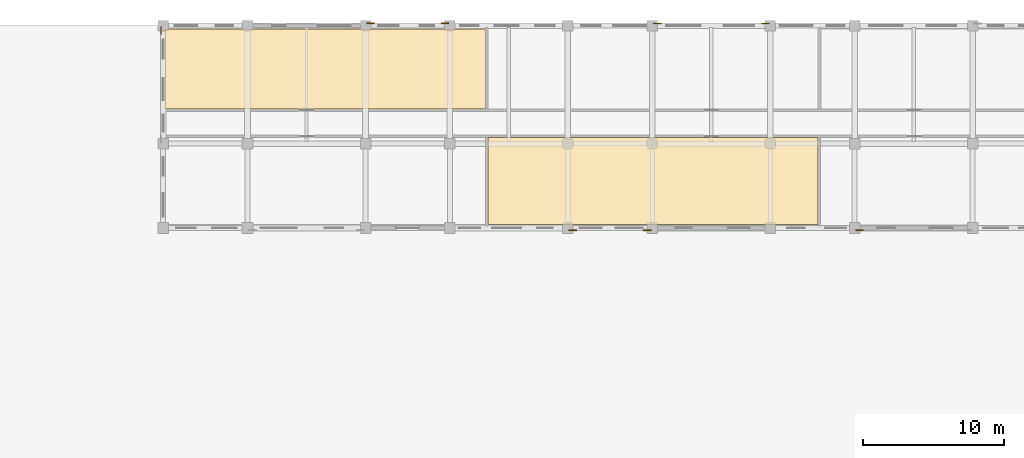
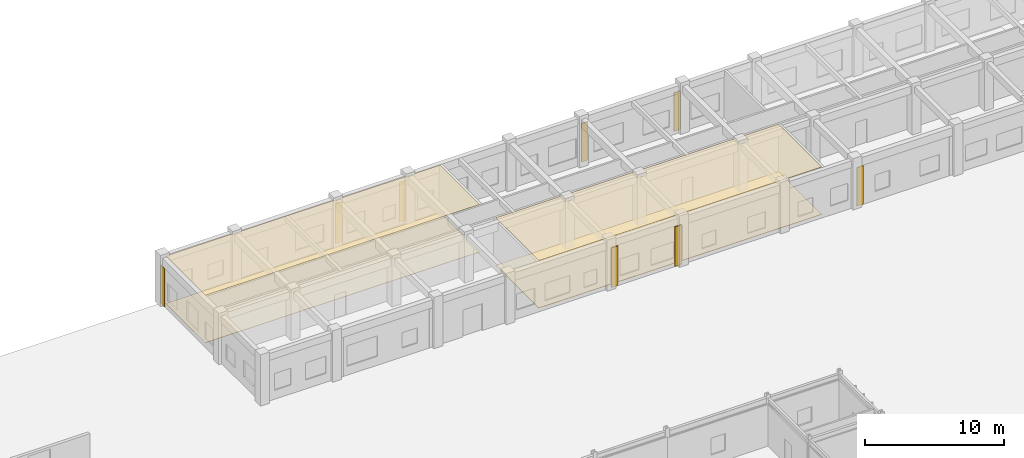
# One storey, part 62 of 67: 12 coverings.
"""IFC4 building model written with IfcOpenShell, lengths in metres."""

from ifc_helpers import new_model, si_unit, direction, frame, origin, origin_2d, place, context, subcontext, project, spatial, polyline, rectangle, outline, extrude, material, layer, layer_set, type_object, element, save


model = new_model("IFC4")

# Units and contexts
model_context = context("Model", 3, precision=1e-05, world=origin(), true_north=direction((0.0, 1.0)))
body_context = subcontext(model_context, "Body", "Model", "MODEL_VIEW")
ifc_project = project(units=[si_unit("LENGTHUNIT", "METRE"), si_unit("AREAUNIT", "SQUARE_METRE"), si_unit("VOLUMEUNIT", "CUBIC_METRE"), si_unit("PLANEANGLEUNIT", "RADIAN"), si_unit("MASSUNIT", "GRAM", prefix="KILO"), si_unit("THERMODYNAMICTEMPERATUREUNIT", "KELVIN")], contexts=[model_context])

# Site, building, storey
site_placement = place(None, origin())
site = spatial("IfcSite", under=ifc_project, at=site_placement, CompositionType="ELEMENT")
building_placement = place(site_placement, origin())
building = spatial("IfcBuilding", under=site, at=building_placement, Name="Thalorik Housing Commons", CompositionType="ELEMENT")
storey_placement = place(building_placement, origin())
storey = spatial("IfcBuildingStorey", under=building, at=storey_placement, Name="L00", CompositionType="ELEMENT", Elevation=0.0)

# Coverings
ifc_material_1 = material(Name="Cobalt blue glazed ceramic facade tile panel", Category="masonry")
ifc_layer_1 = layer(ifc_material_1, 0.06005859375, Name="Cobalt blue glazed ceramic facade tile panel", Category="masonry")
ifc_layer_set_1 = layer_set([ifc_layer_1], Name="Cobalt blue glazed ceramic facade tile panel")
covering_type_1 = type_object("IfcCoveringType", Name="ARC-CLD-BLU-60", PredefinedType="CLADDING", material=ifc_layer_set_1)
for number, where, z_axis, x_axis, name in (
    (1, (123.25, 123.74951171875, 0.0498046875), (0.0, 0.0, 1.0), (-1.0, 0.0, 0.0), "L00 Architectural Facade Cladding 1479"),
    (2, (115.550048828125, 123.74951171875, 0.0498046875), (0.0, 0.0, 1.0), (-1.0, 0.0, 0.0), "L00 Architectural Facade Cladding 1480"),
    (3, (129.949951171875, 109.050537109375, 0.0498046875), (0.0, 0.0, 1.0), (1.0, 0.0, 0.0), "L00 Architectural Facade Cladding 1489"),
):
    element("IfcCovering", number, at=place(storey_placement, frame(where, z_axis=z_axis, x_axis=x_axis)), inside=storey, type_object=covering_type_1, Name=name, PredefinedType="CLADDING", context=body_context, shape_type="SweptSolid", body=[
        extrude(rectangle(XDim=0.550048828125, YDim=0.06005859375, at=origin_2d()), origin(), (0.0, 0.0, 1.0), 3.385009765625),
    ])
ifc_material_2 = material(Name="Precast concrete C40/50", Category="concrete")
ifc_layer_2 = layer(ifc_material_2, 0.074951171875, Name="Precast concrete C40/50", Category="concrete")
ifc_layer_set_2 = layer_set([ifc_layer_2], Name="Precast concrete C40/50")
covering_type_2 = type_object("IfcCoveringType", Name="ARC-CLD-PIER-75", PredefinedType="CLADDING", material=ifc_layer_set_2)
for number, where, z_axis, x_axis, name in (
    (4, (109.550048828125, 109.04296875, 0.0498046875), (0.0, 0.0, 1.0), (1.0, 0.0, 0.0), "L00 Architectural Facade Cladding 1487"),
    (5, (114.85009765625, 109.04296875, 0.0498046875), (0.0, 0.0, 1.0), (1.0, 0.0, 0.0), "L00 Architectural Facade Cladding 1488"),
):
    element("IfcCovering", number, at=place(storey_placement, frame(where, z_axis=z_axis, x_axis=x_axis)), inside=storey, type_object=covering_type_2, Name=name, PredefinedType="CLADDING", context=body_context, shape_type="SweptSolid", body=[
        extrude(rectangle(XDim=0.550048828125, YDim=0.074951171875, at=origin_2d()), origin(), (0.0, 0.0, 1.0), 3.485107421875),
    ])
ifc_layer_3 = layer(ifc_material_2, 0.090087890625, Name="Precast concrete C40/50", Category="concrete")
ifc_layer_set_3 = layer_set([ifc_layer_3], Name="Precast concrete C40/50")
covering_type_3 = type_object("IfcCoveringType", Name="ARC-CLD-PIER-90", PredefinedType="CLADDING", material=ifc_layer_set_3)
for number, where, z_axis, x_axis, name in (
    (6, (100.449951171875, 123.764404296875, 0.0498046875), (0.0, 0.0, 1.0), (-1.0, 0.0, 0.0), "L00 Architectural Facade Cladding 1481"),
    (7, (95.14990234375, 123.764404296875, 0.0498046875), (0.0, 0.0, 1.0), (-1.0, 0.0, 0.0), "L00 Architectural Facade Cladding 1482"),
):
    element("IfcCovering", number, at=place(storey_placement, frame(where, z_axis=z_axis, x_axis=x_axis)), inside=storey, type_object=covering_type_3, Name=name, PredefinedType="CLADDING", context=body_context, shape_type="SweptSolid", body=[
        extrude(rectangle(XDim=0.550048828125, YDim=0.090087890625, at=origin_2d()), origin(), (0.0, 0.0, 1.0), 3.485107421875),
    ])
ifc_material_3 = material(Name="Mineral ochre architectural terracotta panel", Category="masonry")
ifc_layer_4 = layer(ifc_material_3, 0.06494140625, Name="Mineral ochre architectural terracotta panel", Category="masonry")
ifc_layer_set_4 = layer_set([ifc_layer_4], Name="Mineral ochre architectural terracotta panel")
covering_type_4 = type_object("IfcCoveringType", Name="ARC-CLD-YEL-65", PredefinedType="CLADDING", material=ifc_layer_set_4)
covering_1_placement = place(storey_placement, frame((80.248046875, 123.25, 0.0498046875), z_axis=(0.0, 0.0, 1.0), x_axis=(0.0, -1.0, 0.0)))
element("IfcCovering", 8, at=covering_1_placement, inside=storey, type_object=covering_type_4, Name="L00 Architectural Facade Cladding 1483", PredefinedType="CLADDING", context=body_context, shape_type="SweptSolid", body=[
    extrude(rectangle(XDim=0.550048828125, YDim=0.06494140625, at=origin_2d()), origin(), (0.0, 0.0, 1.0), 3.385009765625),
])
ifc_material_4 = material(Name="Fire-rated calcium silicate corridor ceiling")
ifc_layer_5 = layer(ifc_material_4, 0.030029296875, Name="Fire-rated calcium silicate corridor ceiling")
ifc_layer_set_5 = layer_set([ifc_layer_5], Name="Fire-rated calcium silicate corridor ceiling")
covering_type_5 = type_object("IfcCoveringType", Name="ARC-COV-CEIL-05", PredefinedType="CEILING", material=ifc_layer_set_5)
covering_2_placement = place(storey_placement, frame((0.0, 0.0, 4.169921875)))
element("IfcCovering", 9, at=covering_2_placement, inside=storey, type_object=covering_type_5, Name="L00 Residents Cooperative Library Suspended Ceiling", PredefinedType="CEILING", context=body_context, shape_type="SweptSolid", body=[
    extrude(outline(polyline([(103.340087890625, 117.659912109375), (103.340087890625, 123.360107421875), (80.5400390625, 123.360107421875), (80.5400390625, 117.659912109375), (103.340087890625, 117.659912109375)])), origin(), (0.0, 0.0, 1.0), 0.030029296875),
])
ifc_material_5 = material(Name="Acoustic wood-wool nursery ceiling panel", Category="wood")
ifc_layer_6 = layer(ifc_material_5, 0.035888671875, Name="Acoustic wood-wool nursery ceiling panel", Category="wood")
ifc_layer_set_6 = layer_set([ifc_layer_6], Name="Acoustic wood-wool nursery ceiling panel")
covering_type_6 = type_object("IfcCoveringType", Name="ARC-COV-CEIL-06", PredefinedType="CEILING", material=ifc_layer_set_6)
covering_3_placement = place(storey_placement, frame((0.0, 0.0, 4.1640625)))
element("IfcCovering", 10, at=covering_3_placement, inside=storey, type_object=covering_type_6, Name="L00 Bicycle Repair Workshop Suspended Ceiling", PredefinedType="CEILING", context=body_context, shape_type="SweptSolid", body=[
    extrude(outline(polyline([(127.010009765625, 109.43994140625), (127.010009765625, 115.639892578125), (103.5, 115.639892578125), (103.5, 109.43994140625), (127.010009765625, 109.43994140625)])), origin(), (0.0, 0.0, 1.0), 0.035888671875),
])
ifc_material_6 = material(Name="Heavy-duty porcelain metro vestibule tile")
ifc_layer_7 = layer(ifc_material_6, 0.028076171875, Name="Heavy-duty porcelain metro vestibule tile")
ifc_layer_set_7 = layer_set([ifc_layer_7], Name="Heavy-duty porcelain metro vestibule tile")
covering_type_7 = type_object("IfcCoveringType", Name="ARC-COV-FLR-05", PredefinedType="FLOORING", material=ifc_layer_set_7)
covering_4_placement = place(storey_placement, origin())
element("IfcCovering", 11, at=covering_4_placement, inside=storey, type_object=covering_type_7, Name="L00 Residents Cooperative Library Flooring", PredefinedType="FLOORING", context=body_context, shape_type="SweptSolid", body=[
    extrude(outline(polyline([(103.340087890625, 117.659912109375), (103.340087890625, 123.360107421875), (80.5400390625, 123.360107421875), (80.5400390625, 117.659912109375), (103.340087890625, 117.659912109375)])), origin(), (0.0, 0.0, 1.0), 0.028076171875),
])
ifc_material_7 = material(Name="Epoxy-sealed concrete plant and bicycle hub finish", Category="concrete")
ifc_layer_8 = layer(ifc_material_7, 0.031982421875, Name="Epoxy-sealed concrete plant and bicycle hub finish", Category="concrete")
ifc_layer_set_8 = layer_set([ifc_layer_8], Name="Epoxy-sealed concrete plant and bicycle hub finish")
covering_type_8 = type_object("IfcCoveringType", Name="ARC-COV-FLR-06", PredefinedType="FLOORING", material=ifc_layer_set_8)
covering_5_placement = place(storey_placement, origin())
element("IfcCovering", 12, at=covering_5_placement, inside=storey, type_object=covering_type_8, Name="L00 Bicycle Repair Workshop Flooring", PredefinedType="FLOORING", context=body_context, shape_type="SweptSolid", body=[
    extrude(outline(polyline([(127.010009765625, 109.43994140625), (127.010009765625, 115.639892578125), (103.5, 115.639892578125), (103.5, 109.43994140625), (127.010009765625, 109.43994140625)])), origin(), (0.0, 0.0, 1.0), 0.031982421875),
])

save(model, "model.ifc")
